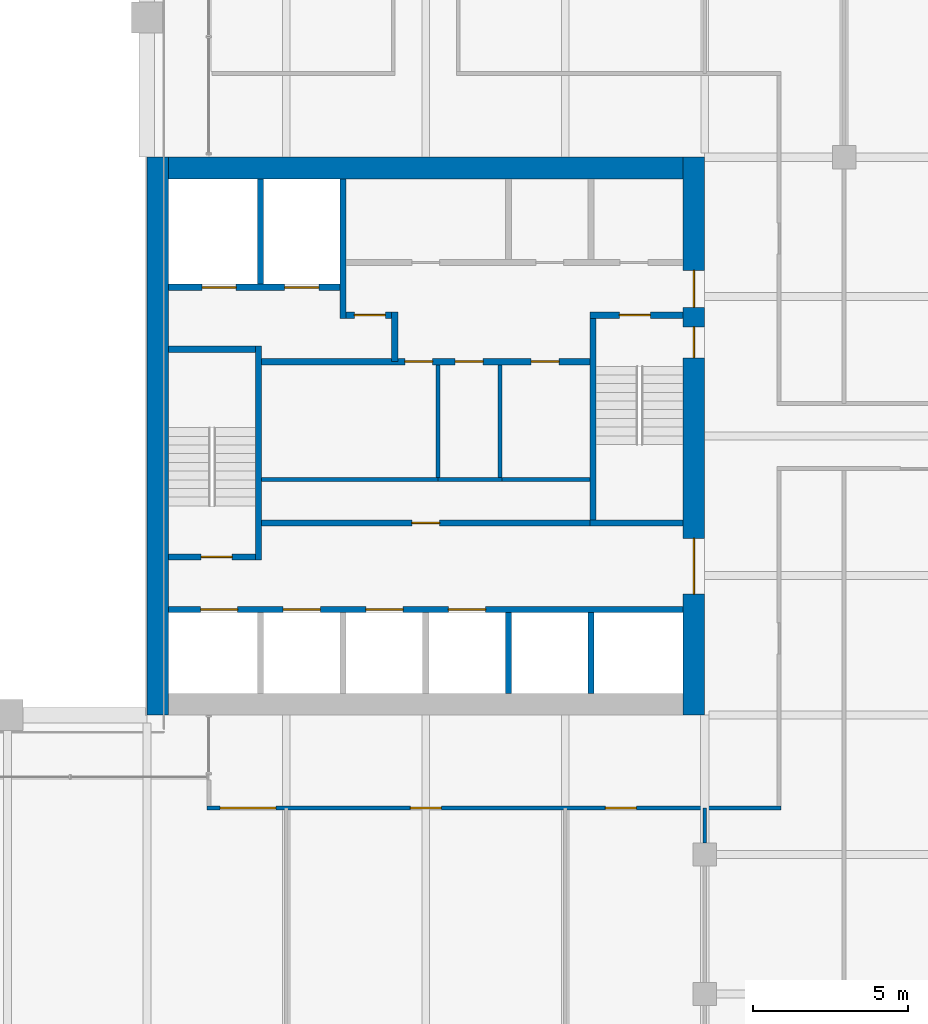
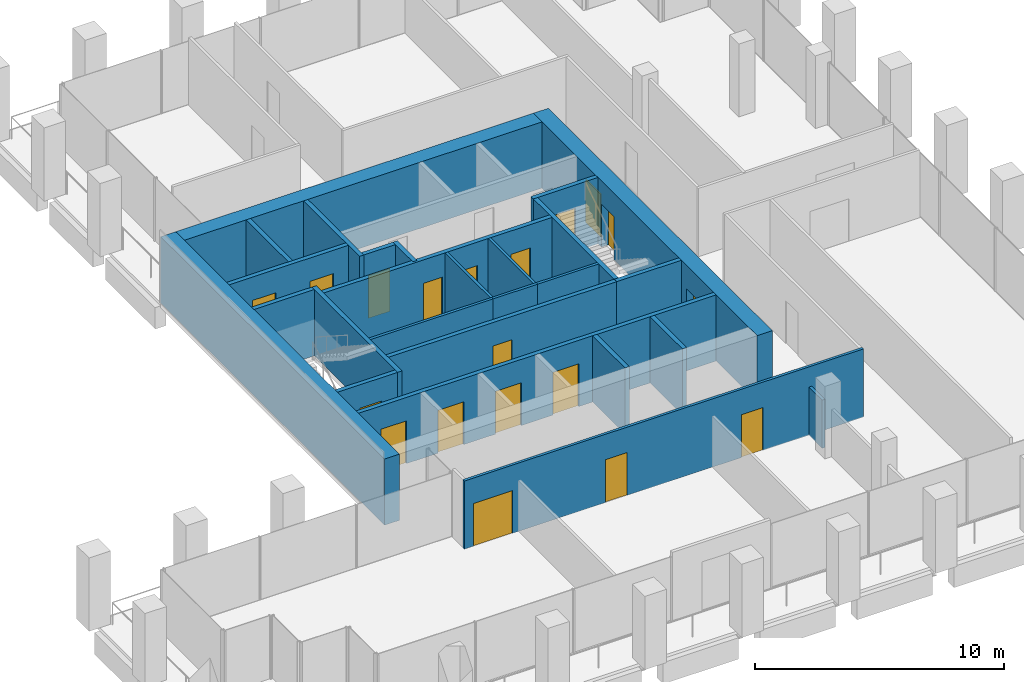
# One storey, part 41 of 45: 26 walls, 19 doors, 19 openings.
"""IFC4 building model written with IfcOpenShell, lengths in metres."""

from ifc_helpers import new_model, si_unit, direction, frame, frame_2d, origin, place, context, subcontext, project, spatial, rectangle, extrude, material, layer, layer_set, type_object, element, fill, save


model = new_model("IFC4")

# Units and contexts
model_context = context("Model", 3, precision=1e-05, world=origin(), true_north=direction((0.0, 1.0)))
body_context = subcontext(model_context, "Body", "Model", "MODEL_VIEW")
ifc_project = project(units=[si_unit("LENGTHUNIT", "METRE"), si_unit("AREAUNIT", "SQUARE_METRE"), si_unit("VOLUMEUNIT", "CUBIC_METRE"), si_unit("PLANEANGLEUNIT", "RADIAN"), si_unit("MASSUNIT", "GRAM", prefix="KILO")], contexts=[model_context])

# Site, building, storey
site_placement = place(None, origin())
site = spatial("IfcSite", under=ifc_project, at=site_placement, CompositionType="ELEMENT")
building_placement = place(site_placement, origin())
building = spatial("IfcBuilding", under=site, at=building_placement, Name="Altepetl Exchange Towers", CompositionType="ELEMENT")
storey_placement = place(building_placement, frame((0.0, 0.0, 110.0)))
storey = spatial("IfcBuildingStorey", under=building, at=storey_placement, Name="L27", CompositionType="ELEMENT", Elevation=110.0)

# Wall, openings, doors
ifc_material_1 = material(Name="Concrete C70/85", Category="concrete")
ifc_layer_1 = layer(ifc_material_1, 0.699951171875)
ifc_layer_set_1 = layer_set([ifc_layer_1], Name="Concrete C70/85")
wall_type_1 = type_object("IfcWallType", Name="Core wall 700 reinforced concrete", PredefinedType="SHEAR", material=ifc_layer_set_1)
wall_1_placement = place(storey_placement, frame((58.14990234375, 40.5, 0.0), z_axis=(0.0, 0.0, 1.0), x_axis=(0.0, 1.0, 0.0)))
wall_1 = element("IfcWall", 1, at=wall_1_placement, inside=storey, type_object=wall_type_1, Name="wall:A:L27:K-coreE", PredefinedType="SHEAR", context=body_context, shape_type="SweptSolid", body=[
    extrude(rectangle(XDim=18.0, YDim=0.699951171875, at=frame_2d((9.0, 0.0))), origin(), (0.0, 0.0, 1.0), 3.25),
])
opening_1_placement = place(wall_1_placement, frame((13.14990234375, 0.0, 0.0)))
opening_1 = element("IfcOpeningElement", 2, at=opening_1_placement, cuts=wall_1, Name="Opening L27.A60", PredefinedType="OPENING", context=body_context, shape_type="SweptSolid", body=[
    extrude(rectangle(XDim=1.199951171875, YDim=2.10009765625, at=frame_2d((0.60009765625, 1.050048828125))), frame((0.0, 0.35986328125, 0.0), z_axis=(0.0, -1.0, 0.0), x_axis=(1.0, 0.0, 0.0)), (0.0, 0.0, 1.0), 0.719970703125),
])
opening_2_placement = place(wall_1_placement, frame((3.89990234375, 0.0, 0.0)))
opening_2 = element("IfcOpeningElement", 3, at=opening_2_placement, cuts=wall_1, Name="Opening L27.A61", PredefinedType="OPENING", context=body_context, shape_type="SweptSolid", body=[
    extrude(rectangle(XDim=1.800048828125, YDim=2.10009765625, at=frame_2d((0.89990234375, 1.050048828125))), frame((0.0, 0.35986328125, 0.0), z_axis=(0.0, -1.0, 0.0), x_axis=(1.0, 0.0, 0.0)), (0.0, 0.0, 1.0), 0.719970703125),
])
opening_3_placement = place(wall_1_placement, frame((11.52490234375, 0.0, 0.0)))
opening_3 = element("IfcOpeningElement", 4, at=opening_3_placement, cuts=wall_1, Name="Opening L27.A64", PredefinedType="OPENING", context=body_context, shape_type="SweptSolid", body=[
    extrude(rectangle(XDim=1.0, YDim=2.10009765625, at=frame_2d((0.5, 1.050048828125))), frame((0.0, 0.35986328125, 0.0), z_axis=(0.0, -1.0, 0.0), x_axis=(1.0, 0.0, 0.0)), (0.0, 0.0, 1.0), 0.719970703125),
])
ifc_material_2 = material(Name="Steel and timber fire door", Category="steel")
door_type_1 = type_object("IfcDoorType", Name="Fire door 1000 x 2100 stair and lobby", OperationType="SINGLE_SWING_LEFT", PredefinedType="DOOR", material=ifc_material_2)
door_1_placement = place(opening_3_placement, origin())
door_1 = element("IfcDoor", 5, at=door_1_placement, inside=storey, type_object=door_type_1, Name="door:A:L27:K-dS2x", OperationType="SINGLE_SWING_RIGHT", OverallHeight=2.10009765625, OverallWidth=1.0, PredefinedType="DOOR", context=body_context, shape_type="SweptSolid", body=[
    extrude(rectangle(XDim=1.0, YDim=2.10009765625, at=frame_2d((0.5, 1.050048828125))), frame((0.0, 0.02490234375, 0.0), z_axis=(0.0, -1.0, 0.0), x_axis=(1.0, 0.0, 0.0)), (0.0, 0.0, 1.0), 0.050048828125),
])
fill(opening_3, door_1)
door_type_2 = type_object("IfcDoorType", Name="Fire door 1200 x 2100 lobby entry", OperationType="SINGLE_SWING_LEFT", PredefinedType="DOOR", material=ifc_material_2)
door_2_placement = place(opening_1_placement, origin())
door_2 = element("IfcDoor", 6, at=door_2_placement, inside=storey, type_object=door_type_2, Name="door:A:L27:K-dLNE", OperationType="SINGLE_SWING_RIGHT", OverallHeight=2.10009765625, OverallWidth=1.199951171875, PredefinedType="DOOR", context=body_context, shape_type="SweptSolid", body=[
    extrude(rectangle(XDim=1.199951171875, YDim=2.10009765625, at=frame_2d((0.60009765625, 1.050048828125))), frame((0.0, 0.02490234375, 0.0), z_axis=(0.0, -1.0, 0.0), x_axis=(1.0, 0.0, 0.0)), (0.0, 0.0, 1.0), 0.050048828125),
])
fill(opening_1, door_2)
door_type_3 = type_object("IfcDoorType", Name="Fire door 1800 x 2100 lobby entry", OperationType="DOUBLE_DOOR_SINGLE_SWING", PredefinedType="DOOR", material=ifc_material_2)
door_3_placement = place(opening_2_placement, origin())
door_3 = element("IfcDoor", 7, at=door_3_placement, inside=storey, type_object=door_type_3, Name="door:A:L27:K-dLSE", OperationType="DOUBLE_DOOR_SINGLE_SWING", OverallHeight=2.10009765625, OverallWidth=1.800048828125, PredefinedType="DOOR", context=body_context, shape_type="SweptSolid", body=[
    extrude(rectangle(XDim=1.800048828125, YDim=2.10009765625, at=frame_2d((0.89990234375, 1.050048828125))), frame((0.0, 0.02490234375, 0.0), z_axis=(0.0, -1.0, 0.0), x_axis=(1.0, 0.0, 0.0)), (0.0, 0.0, 1.0), 0.050048828125),
])
fill(opening_2, door_3)

# Walls
wall_2_placement = place(storey_placement, frame((41.199951171875, 58.14990234375, 0.0)))
element("IfcWall", 8, at=wall_2_placement, inside=storey, type_object=wall_type_1, Name="wall:A:L27:K-coreN", PredefinedType="SHEAR", context=body_context, shape_type="SweptSolid", body=[
    extrude(rectangle(XDim=16.60009765625, YDim=0.699951171875, at=frame_2d((8.300048828125, 0.0))), origin(), (0.0, 0.0, 1.0), 3.25),
])
ifc_layer_2 = layer(ifc_material_1, 0.699951171875)
ifc_layer_set_2 = layer_set([ifc_layer_2], Name="Concrete C70/85")
wall_type_2 = type_object("IfcWallType", Name="Core wall 700 reinforced concrete external", PredefinedType="SHEAR", material=ifc_layer_set_2)
wall_3_placement = place(storey_placement, frame((40.85009765625, 40.5, 0.0), z_axis=(0.0, 0.0, 1.0), x_axis=(0.0, 1.0, 0.0)))
element("IfcWall", 9, at=wall_3_placement, inside=storey, type_object=wall_type_2, Name="wall:A:L27:K-coreW", PredefinedType="SHEAR", context=body_context, shape_type="SweptSolid", body=[
    extrude(rectangle(XDim=18.0, YDim=0.699951171875, at=frame_2d((9.0, 0.0))), origin(), (0.0, 0.0, 1.0), 3.25),
])
ifc_material_3 = material(Name="Concrete blockwork", Category="masonry")
ifc_layer_3 = layer(ifc_material_3, 0.199951171875)
ifc_layer_set_3 = layer_set([ifc_layer_3], Name="Concrete blockwork")
wall_type_3 = type_object("IfcWallType", Name="Lobby wall 200 blockwork", PredefinedType="PARTITIONING", material=ifc_layer_set_3)
wall_4_placement = place(storey_placement, frame((48.5, 51.89990234375, 0.0), z_axis=(0.0, 0.0, 1.0), x_axis=(0.0, 1.0, 0.0)))
element("IfcWall", 10, at=wall_4_placement, inside=storey, type_object=wall_type_3, Name="wall:A:L27:K-ffE", PredefinedType="PARTITIONING", context=body_context, shape_type="SweptSolid", body=[
    extrude(rectangle(XDim=1.60009765625, YDim=0.199951171875, at=frame_2d((0.800048828125, 0.0))), origin(), (0.0, 0.0, 1.0), 3.25),
])

# Wall, opening, door
wall_5_placement = place(storey_placement, frame((46.933349609375, 53.39990234375, 0.0)))
wall_5 = element("IfcWall", 11, at=wall_5_placement, inside=storey, type_object=wall_type_3, Name="wall:A:L27:K-ffN", PredefinedType="PARTITIONING", context=body_context, shape_type="SweptSolid", body=[
    extrude(rectangle(XDim=1.466552734375, YDim=0.199951171875, at=frame_2d((0.7333984375, 0.0))), origin(), (0.0, 0.0, 1.0), 3.25),
])
opening_4_placement = place(wall_5_placement, frame((0.2666015625, 0.0, 0.0)))
opening_4 = element("IfcOpeningElement", 12, at=opening_4_placement, cuts=wall_5, Name="Opening L27.A65", PredefinedType="OPENING", context=body_context, shape_type="SweptSolid", body=[
    extrude(rectangle(XDim=1.0, YDim=2.10009765625, at=frame_2d((0.5, 1.050048828125))), frame((0.0, 0.10986328125, 0.0), z_axis=(0.0, -1.0, 0.0), x_axis=(1.0, 0.0, 0.0)), (0.0, 0.0, 1.0), 0.219970703125),
])
door_4_placement = place(opening_4_placement, frame((1.0, 0.0, 0.0), x_axis=(-1.0, 0.0, 0.0)))
door_4 = element("IfcDoor", 13, at=door_4_placement, inside=storey, type_object=door_type_1, Name="door:A:L27:K-dffN", OperationType="SINGLE_SWING_RIGHT", OverallHeight=2.10009765625, OverallWidth=1.0, PredefinedType="DOOR", context=body_context, shape_type="SweptSolid", body=[
    extrude(rectangle(XDim=1.0, YDim=2.10009765625, at=frame_2d((0.5, 1.050048828125))), frame((0.0, 0.02490234375, 0.0), z_axis=(0.0, -1.0, 0.0), x_axis=(1.0, 0.0, 0.0)), (0.0, 0.0, 1.0), 0.050048828125),
])
fill(opening_4, door_4)

# Wall, openings, doors
wall_6_placement = place(storey_placement, frame((44.199951171875, 51.89990234375, 0.0)))
wall_6 = element("IfcWall", 14, at=wall_6_placement, inside=storey, type_object=wall_type_3, Name="wall:A:L27:K-zoneN", PredefinedType="PARTITIONING", context=body_context, shape_type="SweptSolid", body=[
    extrude(rectangle(XDim=10.60009765625, YDim=0.199951171875, at=frame_2d((5.300048828125, 0.0))), origin(), (0.0, 0.0, 1.0), 3.25),
])
opening_5_placement = place(wall_6_placement, frame((4.625, 0.0, 0.0)))
opening_5 = element("IfcOpeningElement", 15, at=opening_5_placement, cuts=wall_6, Name="Opening L27.A70", PredefinedType="OPENING", context=body_context, shape_type="SweptSolid", body=[
    extrude(rectangle(XDim=0.89990234375, YDim=2.10009765625, at=frame_2d((0.449951171875, 1.050048828125))), frame((0.0, 0.10986328125, 0.0), z_axis=(0.0, -1.0, 0.0), x_axis=(1.0, 0.0, 0.0)), (0.0, 0.0, 1.0), 0.219970703125),
])
opening_6_placement = place(wall_6_placement, frame((6.25, 0.0, 0.0)))
opening_6 = element("IfcOpeningElement", 16, at=opening_6_placement, cuts=wall_6, Name="Opening L27.A71", PredefinedType="OPENING", context=body_context, shape_type="SweptSolid", body=[
    extrude(rectangle(XDim=0.89990234375, YDim=2.10009765625, at=frame_2d((0.449951171875, 1.050048828125))), frame((0.0, 0.10986328125, 0.0), z_axis=(0.0, -1.0, 0.0), x_axis=(1.0, 0.0, 0.0)), (0.0, 0.0, 1.0), 0.219970703125),
])
opening_7_placement = place(wall_6_placement, frame((8.699951171875, 0.0, 0.0)))
opening_7 = element("IfcOpeningElement", 17, at=opening_7_placement, cuts=wall_6, Name="Opening L27.A72", PredefinedType="OPENING", context=body_context, shape_type="SweptSolid", body=[
    extrude(rectangle(XDim=0.89990234375, YDim=2.10009765625, at=frame_2d((0.449951171875, 1.050048828125))), frame((0.0, 0.10986328125, 0.0), z_axis=(0.0, -1.0, 0.0), x_axis=(1.0, 0.0, 0.0)), (0.0, 0.0, 1.0), 0.219970703125),
])
door_type_4 = type_object("IfcDoorType", Name="Fire door 900 x 2100 service room", OperationType="SINGLE_SWING_LEFT", PredefinedType="DOOR", material=ifc_material_2)
door_5_placement = place(opening_5_placement, frame((0.89990234375, 0.0, 0.0), x_axis=(-1.0, 0.0, 0.0)))
door_5 = element("IfcDoor", 18, at=door_5_placement, inside=storey, type_object=door_type_4, Name="door:A:L27:K-dz2", OperationType="SINGLE_SWING_RIGHT", OverallHeight=2.10009765625, OverallWidth=0.89990234375, PredefinedType="DOOR", context=body_context, shape_type="SweptSolid", body=[
    extrude(rectangle(XDim=0.89990234375, YDim=2.10009765625, at=frame_2d((0.449951171875, 1.050048828125))), frame((0.0, 0.02490234375, 0.0), z_axis=(0.0, -1.0, 0.0), x_axis=(1.0, 0.0, 0.0)), (0.0, 0.0, 1.0), 0.050048828125),
])
fill(opening_5, door_5)
door_6_placement = place(opening_6_placement, frame((0.89990234375, 0.0, 0.0), x_axis=(-1.0, 0.0, 0.0)))
door_6 = element("IfcDoor", 19, at=door_6_placement, inside=storey, type_object=door_type_4, Name="door:A:L27:K-dz3", OperationType="SINGLE_SWING_LEFT", OverallHeight=2.10009765625, OverallWidth=0.89990234375, PredefinedType="DOOR", context=body_context, shape_type="SweptSolid", body=[
    extrude(rectangle(XDim=0.89990234375, YDim=2.10009765625, at=frame_2d((0.449951171875, 1.050048828125))), frame((0.0, 0.02490234375, 0.0), z_axis=(0.0, -1.0, 0.0), x_axis=(1.0, 0.0, 0.0)), (0.0, 0.0, 1.0), 0.050048828125),
])
fill(opening_6, door_6)
door_7_placement = place(opening_7_placement, frame((0.89990234375, 0.0, 0.0), x_axis=(-1.0, 0.0, 0.0)))
door_7 = element("IfcDoor", 20, at=door_7_placement, inside=storey, type_object=door_type_4, Name="door:A:L27:K-dz4", OperationType="SINGLE_SWING_LEFT", OverallHeight=2.10009765625, OverallWidth=0.89990234375, PredefinedType="DOOR", context=body_context, shape_type="SweptSolid", body=[
    extrude(rectangle(XDim=0.89990234375, YDim=2.10009765625, at=frame_2d((0.449951171875, 1.050048828125))), frame((0.0, 0.02490234375, 0.0), z_axis=(0.0, -1.0, 0.0), x_axis=(1.0, 0.0, 0.0)), (0.0, 0.0, 1.0), 0.050048828125),
])
fill(opening_7, door_7)

# Wall, opening, door
wall_7_placement = place(storey_placement, frame((44.199951171875, 46.699951171875, 0.0)))
wall_7 = element("IfcWall", 21, at=wall_7_placement, inside=storey, type_object=wall_type_3, Name="wall:A:L27:K-zoneS", PredefinedType="PARTITIONING", context=body_context, shape_type="SweptSolid", body=[
    extrude(rectangle(XDim=10.60009765625, YDim=0.199951171875, at=frame_2d((5.300048828125, 0.0))), origin(), (0.0, 0.0, 1.0), 3.25),
])
opening_8_placement = place(wall_7_placement, frame((4.85009765625, 0.0, 0.0)))
opening_8 = element("IfcOpeningElement", 22, at=opening_8_placement, cuts=wall_7, Name="Opening L27.A69", PredefinedType="OPENING", context=body_context, shape_type="SweptSolid", body=[
    extrude(rectangle(XDim=0.89990234375, YDim=2.10009765625, at=frame_2d((0.449951171875, 1.050048828125))), frame((0.0, 0.10986328125, 0.0), z_axis=(0.0, -1.0, 0.0), x_axis=(1.0, 0.0, 0.0)), (0.0, 0.0, 1.0), 0.219970703125),
])
door_8_placement = place(opening_8_placement, origin())
door_8 = element("IfcDoor", 23, at=door_8_placement, inside=storey, type_object=door_type_4, Name="door:A:L27:K-dz1", OperationType="SINGLE_SWING_LEFT", OverallHeight=2.10009765625, OverallWidth=0.89990234375, PredefinedType="DOOR", context=body_context, shape_type="SweptSolid", body=[
    extrude(rectangle(XDim=0.89990234375, YDim=2.10009765625, at=frame_2d((0.449951171875, 1.050048828125))), frame((0.0, 0.02490234375, 0.0), z_axis=(0.0, -1.0, 0.0), x_axis=(1.0, 0.0, 0.0)), (0.0, 0.0, 1.0), 0.050048828125),
])
fill(opening_8, door_8)

# Walls
ifc_material_4 = material(Name="Gypsum board on steel studs", Category="steel")
ifc_layer_4 = layer(ifc_material_4, 0.125)
ifc_layer_set_4 = layer_set([ifc_layer_4], Name="Gypsum board on steel studs")
wall_type_4 = type_object("IfcWallType", Name="Partition 125 gypsum board on steel studs", PredefinedType="PARTITIONING", material=ifc_layer_set_4)
wall_8_placement = place(storey_placement, frame((49.96240234375, 48.10009765625, 0.0), z_axis=(0.0, 0.0, 1.0), x_axis=(-1.0, 0.0, 0.0)))
element("IfcWall", 24, at=wall_8_placement, inside=storey, type_object=wall_type_4, Name="wall:A:L27:K-zp1", PredefinedType="PARTITIONING", context=body_context, shape_type="SweptSolid", body=[
    extrude(rectangle(XDim=5.762451171875, YDim=0.125, at=frame_2d((2.88134765625, 0.0))), origin(), (0.0, 0.0, 1.0), 3.25),
])
wall_9_placement = place(storey_placement, frame((51.96240234375, 48.10009765625, 0.0), z_axis=(0.0, 0.0, 1.0), x_axis=(-1.0, 0.0, 0.0)))
element("IfcWall", 25, at=wall_9_placement, inside=storey, type_object=wall_type_4, Name="wall:A:L27:K-zp2", PredefinedType="PARTITIONING", context=body_context, shape_type="SweptSolid", body=[
    extrude(rectangle(XDim=2.0625, YDim=0.125, at=frame_2d((1.03125, 0.0))), origin(), (0.0, 0.0, 1.0), 3.25),
])
wall_10_placement = place(storey_placement, frame((49.89990234375, 48.16259765625, 0.0), z_axis=(0.0, 0.0, 1.0), x_axis=(0.0, 1.0, 0.0)))
element("IfcWall", 26, at=wall_10_placement, inside=storey, type_object=wall_type_4, Name="wall:A:L27:K-zp3", PredefinedType="PARTITIONING", context=body_context, shape_type="SweptSolid", body=[
    extrude(rectangle(XDim=3.637451171875, YDim=0.125, at=frame_2d((1.81884765625, 0.0))), origin(), (0.0, 0.0, 1.0), 3.25),
])
wall_11_placement = place(storey_placement, frame((54.800048828125, 48.10009765625, 0.0), z_axis=(0.0, 0.0, 1.0), x_axis=(-1.0, 0.0, 0.0)))
element("IfcWall", 27, at=wall_11_placement, inside=storey, type_object=wall_type_4, Name="wall:A:L27:K-zp4", PredefinedType="PARTITIONING", context=body_context, shape_type="SweptSolid", body=[
    extrude(rectangle(XDim=2.900146484375, YDim=0.125, at=frame_2d((1.4501953125, 0.0))), origin(), (0.0, 0.0, 1.0), 3.25),
])
wall_12_placement = place(storey_placement, frame((51.89990234375, 48.16259765625, 0.0), z_axis=(0.0, 0.0, 1.0), x_axis=(0.0, 1.0, 0.0)))
element("IfcWall", 28, at=wall_12_placement, inside=storey, type_object=wall_type_4, Name="wall:A:L27:K-zp5", PredefinedType="PARTITIONING", context=body_context, shape_type="SweptSolid", body=[
    extrude(rectangle(XDim=3.637451171875, YDim=0.125, at=frame_2d((1.81884765625, 0.0))), origin(), (0.0, 0.0, 1.0), 3.25),
])

# Wall, openings, doors
wall_13_placement = place(storey_placement, frame((42.4375, 37.5, 0.0)))
wall_13 = element("IfcWall", 29, at=wall_13_placement, inside=storey, type_object=wall_type_4, Name="wall:A:L27:P01", PredefinedType="PARTITIONING", context=body_context, shape_type="SweptSolid", body=[
    extrude(rectangle(XDim=18.52490234375, YDim=0.125, at=frame_2d((9.262451171875, 0.0))), origin(), (0.0, 0.0, 1.0), 3.35009765625),
])
opening_9_placement = place(wall_13_placement, frame((6.5625, 0.0, 0.0)))
opening_9 = element("IfcOpeningElement", 30, at=opening_9_placement, cuts=wall_13, Name="Opening L27.A01", PredefinedType="OPENING", context=body_context, shape_type="SweptSolid", body=[
    extrude(rectangle(XDim=1.0, YDim=2.10009765625, at=frame_2d((0.5, 1.050048828125))), frame((0.0, 0.072509765625, 0.0), z_axis=(0.0, -1.0, 0.0), x_axis=(1.0, 0.0, 0.0)), (0.0, 0.0, 1.0), 0.14501953125),
])
opening_10_placement = place(wall_13_placement, frame((12.857421875, 0.0, 0.0)))
opening_10 = element("IfcOpeningElement", 31, at=opening_10_placement, cuts=wall_13, Name="Opening L27.A02", PredefinedType="OPENING", context=body_context, shape_type="SweptSolid", body=[
    extrude(rectangle(XDim=1.0, YDim=2.10009765625, at=frame_2d((0.5, 1.050048828125))), frame((0.0, 0.072509765625, 0.0), z_axis=(0.0, -1.0, 0.0), x_axis=(1.0, 0.0, 0.0)), (0.0, 0.0, 1.0), 0.14501953125),
])
opening_11_placement = place(wall_13_placement, frame((0.429443359375, 0.0, 0.0)))
opening_11 = element("IfcOpeningElement", 32, at=opening_11_placement, cuts=wall_13, Name="Opening L27.A03", PredefinedType="OPENING", context=body_context, shape_type="SweptSolid", body=[
    extrude(rectangle(XDim=1.800048828125, YDim=2.10009765625, at=frame_2d((0.89990234375, 1.050048828125))), frame((0.0, 0.072509765625, 0.0), z_axis=(0.0, -1.0, 0.0), x_axis=(1.0, 0.0, 0.0)), (0.0, 0.0, 1.0), 0.14501953125),
])
door_type_5 = type_object("IfcDoorType", Name="Fire door 1000 x 2100 single leaf", OperationType="SINGLE_SWING_LEFT", PredefinedType="DOOR", material=ifc_material_2)
door_9_placement = place(opening_9_placement, frame((1.0, 0.0, 0.0), x_axis=(-1.0, 0.0, 0.0)))
door_9 = element("IfcDoor", 33, at=door_9_placement, inside=storey, type_object=door_type_5, Name="door:A:L27:01", OperationType="SINGLE_SWING_LEFT", OverallHeight=2.10009765625, OverallWidth=1.0, PredefinedType="DOOR", context=body_context, shape_type="SweptSolid", body=[
    extrude(rectangle(XDim=1.0, YDim=2.10009765625, at=frame_2d((0.5, 1.050048828125))), frame((0.0, 0.02490234375, 0.0), z_axis=(0.0, -1.0, 0.0), x_axis=(1.0, 0.0, 0.0)), (0.0, 0.0, 1.0), 0.050048828125),
])
fill(opening_9, door_9)
door_10_placement = place(opening_10_placement, frame((1.0, 0.0, 0.0), x_axis=(-1.0, 0.0, 0.0)))
door_10 = element("IfcDoor", 34, at=door_10_placement, inside=storey, type_object=door_type_5, Name="door:A:L27:02", OperationType="SINGLE_SWING_RIGHT", OverallHeight=2.10009765625, OverallWidth=1.0, PredefinedType="DOOR", context=body_context, shape_type="SweptSolid", body=[
    extrude(rectangle(XDim=1.0, YDim=2.10009765625, at=frame_2d((0.5, 1.050048828125))), frame((0.0, 0.02490234375, 0.0), z_axis=(0.0, -1.0, 0.0), x_axis=(1.0, 0.0, 0.0)), (0.0, 0.0, 1.0), 0.050048828125),
])
fill(opening_10, door_10)
door_type_6 = type_object("IfcDoorType", Name="Fire door 1800 x 2100 double leaf", OperationType="DOUBLE_DOOR_SINGLE_SWING", PredefinedType="DOOR", material=ifc_material_2)
door_11_placement = place(opening_11_placement, frame((1.800048828125, 0.0, 0.0), x_axis=(-1.0, 0.0, 0.0)))
door_11 = element("IfcDoor", 35, at=door_11_placement, inside=storey, type_object=door_type_6, Name="door:A:L27:03", OperationType="DOUBLE_DOOR_SINGLE_SWING", OverallHeight=2.10009765625, OverallWidth=1.800048828125, PredefinedType="DOOR", context=body_context, shape_type="SweptSolid", body=[
    extrude(rectangle(XDim=1.800048828125, YDim=2.10009765625, at=frame_2d((0.89990234375, 1.050048828125))), frame((0.0, 0.02490234375, 0.0), z_axis=(0.0, -1.0, 0.0), x_axis=(1.0, 0.0, 0.0)), (0.0, 0.0, 1.0), 0.050048828125),
])
fill(opening_11, door_11)

# Walls
wall_14_placement = place(storey_placement, frame((58.5, 36.375, 0.0), z_axis=(0.0, 0.0, 1.0), x_axis=(0.0, 1.0, 0.0)))
element("IfcWall", 36, at=wall_14_placement, inside=storey, type_object=wall_type_4, Name="wall:A:L27:P13", PredefinedType="PARTITIONING", context=body_context, shape_type="SweptSolid", body=[
    extrude(rectangle(XDim=1.125, YDim=0.125, at=frame_2d((0.5625, 0.0))), origin(), (0.0, 0.0, 1.0), 2.360107421875),
])
ifc_material_5 = material(Name="Concrete C40/50", Category="concrete")
ifc_layer_5 = layer(ifc_material_5, 0.199951171875)
ifc_layer_set_5 = layer_set([ifc_layer_5], Name="Concrete C40/50")
wall_type_5 = type_object("IfcWallType", Name="Shaft wall 200 reinforced concrete", PredefinedType="SHEAR", material=ifc_layer_set_5)
wall_15_placement = place(storey_placement, frame((44.166748046875, 57.800048828125, 0.0), z_axis=(0.0, 0.0, 1.0), x_axis=(0.0, -1.0, 0.0)))
element("IfcWall", 37, at=wall_15_placement, inside=storey, type_object=wall_type_5, Name="wall:A:L27:K-divN1", PredefinedType="SHEAR", context=body_context, shape_type="SweptSolid", body=[
    extrude(rectangle(XDim=3.400146484375, YDim=0.199951171875, at=frame_2d((1.7001953125, 0.0))), origin(), (0.0, 0.0, 1.0), 3.25),
])
wall_16_placement = place(storey_placement, frame((46.833251953125, 57.800048828125, 0.0), z_axis=(0.0, 0.0, 1.0), x_axis=(0.0, -1.0, 0.0)))
element("IfcWall", 38, at=wall_16_placement, inside=storey, type_object=wall_type_5, Name="wall:A:L27:K-divN2", PredefinedType="SHEAR", context=body_context, shape_type="SweptSolid", body=[
    extrude(rectangle(XDim=4.5, YDim=0.199951171875, at=frame_2d((2.25, 0.0))), origin(), (0.0, 0.0, 1.0), 3.25),
])
for number, where, z_axis, x_axis, name in (
    (39, (52.166748046875, 41.199951171875, 0.0), (0.0, 0.0, 1.0), (0.0, 1.0, 0.0), "wall:A:L27:K-divS4"),
    (40, (54.833251953125, 41.199951171875, 0.0), (0.0, 0.0, 1.0), (0.0, 1.0, 0.0), "wall:A:L27:K-divS5"),
):
    element("IfcWall", number, at=place(storey_placement, frame(where, z_axis=z_axis, x_axis=x_axis)), inside=storey, type_object=wall_type_5, Name=name, PredefinedType="SHEAR", context=body_context, shape_type="SweptSolid", body=[
        extrude(rectangle(XDim=2.60009765625, YDim=0.199951171875, at=frame_2d((1.300048828125, 0.0))), origin(), (0.0, 0.0, 1.0), 3.25),
    ])

# Wall, openings, doors
wall_17_placement = place(storey_placement, frame((41.199951171875, 54.300048828125, 0.0)))
wall_17 = element("IfcWall", 41, at=wall_17_placement, inside=storey, type_object=wall_type_5, Name="wall:A:L27:K-frontNd", PredefinedType="SHEAR", context=body_context, shape_type="SweptSolid", body=[
    extrude(rectangle(XDim=5.533447265625, YDim=0.199951171875, at=frame_2d((2.7666015625, 0.0))), origin(), (0.0, 0.0, 1.0), 3.25),
])
opening_12_placement = place(wall_17_placement, frame((1.083251953125, 0.0, 0.0)))
opening_12 = element("IfcOpeningElement", 42, at=opening_12_placement, cuts=wall_17, Name="Opening L27.A73", PredefinedType="OPENING", context=body_context, shape_type="SweptSolid", body=[
    extrude(rectangle(XDim=1.10009765625, YDim=2.10009765625, at=frame_2d((0.550048828125, 1.050048828125))), frame((0.0, 0.10986328125, 0.0), z_axis=(0.0, -1.0, 0.0), x_axis=(1.0, 0.0, 0.0)), (0.0, 0.0, 1.0), 0.219970703125),
])
opening_13_placement = place(wall_17_placement, frame((3.75, 0.0, 0.0)))
opening_13 = element("IfcOpeningElement", 43, at=opening_13_placement, cuts=wall_17, Name="Opening L27.A74", PredefinedType="OPENING", context=body_context, shape_type="SweptSolid", body=[
    extrude(rectangle(XDim=1.10009765625, YDim=2.10009765625, at=frame_2d((0.550048828125, 1.050048828125))), frame((0.0, 0.10986328125, 0.0), z_axis=(0.0, -1.0, 0.0), x_axis=(1.0, 0.0, 0.0)), (0.0, 0.0, 1.0), 0.219970703125),
])
ifc_material_6 = material(Name="Stainless steel", Category="steel")
door_type_7 = type_object("IfcDoorType", Name="Lift landing door 1100 x 2100", OperationType="SLIDING_TO_LEFT", PredefinedType="DOOR", material=ifc_material_6)
door_12_placement = place(opening_12_placement, origin())
door_12 = element("IfcDoor", 44, at=door_12_placement, inside=storey, type_object=door_type_7, Name="Landing door FFL1", OperationType="SLIDING_TO_LEFT", OverallHeight=2.10009765625, OverallWidth=1.10009765625, PredefinedType="DOOR", context=body_context, shape_type="SweptSolid", body=[
    extrude(rectangle(XDim=1.10009765625, YDim=2.10009765625, at=frame_2d((0.550048828125, 1.050048828125))), frame((0.0, 0.02490234375, 0.0), z_axis=(0.0, -1.0, 0.0), x_axis=(1.0, 0.0, 0.0)), (0.0, 0.0, 1.0), 0.050048828125),
])
fill(opening_12, door_12)
door_13_placement = place(opening_13_placement, origin())
door_13 = element("IfcDoor", 45, at=door_13_placement, inside=storey, type_object=door_type_7, Name="Landing door FFL2", OperationType="SLIDING_TO_LEFT", OverallHeight=2.10009765625, OverallWidth=1.10009765625, PredefinedType="DOOR", context=body_context, shape_type="SweptSolid", body=[
    extrude(rectangle(XDim=1.10009765625, YDim=2.10009765625, at=frame_2d((0.550048828125, 1.050048828125))), frame((0.0, 0.02490234375, 0.0), z_axis=(0.0, -1.0, 0.0), x_axis=(1.0, 0.0, 0.0)), (0.0, 0.0, 1.0), 0.050048828125),
])
fill(opening_13, door_13)

wall_18_placement = place(storey_placement, frame((41.199951171875, 43.89990234375, 0.0)))
wall_18 = element("IfcWall", 46, at=wall_18_placement, inside=storey, type_object=wall_type_5, Name="wall:A:L27:K-frontS", PredefinedType="SHEAR", context=body_context, shape_type="SweptSolid", body=[
    extrude(rectangle(XDim=16.60009765625, YDim=0.199951171875, at=frame_2d((8.300048828125, 0.0))), origin(), (0.0, 0.0, 1.0), 3.25),
])
opening_14_placement = place(wall_18_placement, frame((1.033203125, 0.0, 0.0)))
opening_14 = element("IfcOpeningElement", 47, at=opening_14_placement, cuts=wall_18, Name="Opening L27.A75", PredefinedType="OPENING", context=body_context, shape_type="SweptSolid", body=[
    extrude(rectangle(XDim=1.199951171875, YDim=2.10009765625, at=frame_2d((0.60009765625, 1.050048828125))), frame((0.0, 0.10986328125, 0.0), z_axis=(0.0, -1.0, 0.0), x_axis=(1.0, 0.0, 0.0)), (0.0, 0.0, 1.0), 0.219970703125),
])
opening_15_placement = place(wall_18_placement, frame((3.699951171875, 0.0, 0.0)))
opening_15 = element("IfcOpeningElement", 48, at=opening_15_placement, cuts=wall_18, Name="Opening L27.A76", PredefinedType="OPENING", context=body_context, shape_type="SweptSolid", body=[
    extrude(rectangle(XDim=1.199951171875, YDim=2.10009765625, at=frame_2d((0.60009765625, 1.050048828125))), frame((0.0, 0.10986328125, 0.0), z_axis=(0.0, -1.0, 0.0), x_axis=(1.0, 0.0, 0.0)), (0.0, 0.0, 1.0), 0.219970703125),
])
opening_16_placement = place(wall_18_placement, frame((6.36669921875, 0.0, 0.0)))
opening_16 = element("IfcOpeningElement", 49, at=opening_16_placement, cuts=wall_18, Name="Opening L27.A77", PredefinedType="OPENING", context=body_context, shape_type="SweptSolid", body=[
    extrude(rectangle(XDim=1.199951171875, YDim=2.10009765625, at=frame_2d((0.60009765625, 1.050048828125))), frame((0.0, 0.10986328125, 0.0), z_axis=(0.0, -1.0, 0.0), x_axis=(1.0, 0.0, 0.0)), (0.0, 0.0, 1.0), 0.219970703125),
])
opening_17_placement = place(wall_18_placement, frame((9.033203125, 0.0, 0.0)))
opening_17 = element("IfcOpeningElement", 50, at=opening_17_placement, cuts=wall_18, Name="Opening L27.A78", PredefinedType="OPENING", context=body_context, shape_type="SweptSolid", body=[
    extrude(rectangle(XDim=1.199951171875, YDim=2.10009765625, at=frame_2d((0.60009765625, 1.050048828125))), frame((0.0, 0.10986328125, 0.0), z_axis=(0.0, -1.0, 0.0), x_axis=(1.0, 0.0, 0.0)), (0.0, 0.0, 1.0), 0.219970703125),
])
door_type_8 = type_object("IfcDoorType", Name="Lift landing door 1200 x 2100", OperationType="SLIDING_TO_LEFT", PredefinedType="DOOR", material=ifc_material_6)
door_14_placement = place(opening_14_placement, origin())
door_14 = element("IfcDoor", 51, at=door_14_placement, inside=storey, type_object=door_type_8, Name="Landing door P1", OperationType="SLIDING_TO_LEFT", OverallHeight=2.10009765625, OverallWidth=1.199951171875, PredefinedType="DOOR", context=body_context, shape_type="SweptSolid", body=[
    extrude(rectangle(XDim=1.199951171875, YDim=2.10009765625, at=frame_2d((0.60009765625, 1.050048828125))), frame((0.0, 0.02490234375, 0.0), z_axis=(0.0, -1.0, 0.0), x_axis=(1.0, 0.0, 0.0)), (0.0, 0.0, 1.0), 0.050048828125),
])
fill(opening_14, door_14)
door_15_placement = place(opening_15_placement, origin())
door_15 = element("IfcDoor", 52, at=door_15_placement, inside=storey, type_object=door_type_8, Name="Landing door P2", OperationType="SLIDING_TO_LEFT", OverallHeight=2.10009765625, OverallWidth=1.199951171875, PredefinedType="DOOR", context=body_context, shape_type="SweptSolid", body=[
    extrude(rectangle(XDim=1.199951171875, YDim=2.10009765625, at=frame_2d((0.60009765625, 1.050048828125))), frame((0.0, 0.02490234375, 0.0), z_axis=(0.0, -1.0, 0.0), x_axis=(1.0, 0.0, 0.0)), (0.0, 0.0, 1.0), 0.050048828125),
])
fill(opening_15, door_15)
door_16_placement = place(opening_16_placement, origin())
door_16 = element("IfcDoor", 53, at=door_16_placement, inside=storey, type_object=door_type_8, Name="Landing door P3", OperationType="SLIDING_TO_LEFT", OverallHeight=2.10009765625, OverallWidth=1.199951171875, PredefinedType="DOOR", context=body_context, shape_type="SweptSolid", body=[
    extrude(rectangle(XDim=1.199951171875, YDim=2.10009765625, at=frame_2d((0.60009765625, 1.050048828125))), frame((0.0, 0.02490234375, 0.0), z_axis=(0.0, -1.0, 0.0), x_axis=(1.0, 0.0, 0.0)), (0.0, 0.0, 1.0), 0.050048828125),
])
fill(opening_16, door_16)
door_17_placement = place(opening_17_placement, origin())
door_17 = element("IfcDoor", 54, at=door_17_placement, inside=storey, type_object=door_type_8, Name="Landing door P4", OperationType="SLIDING_TO_LEFT", OverallHeight=2.10009765625, OverallWidth=1.199951171875, PredefinedType="DOOR", context=body_context, shape_type="SweptSolid", body=[
    extrude(rectangle(XDim=1.199951171875, YDim=2.10009765625, at=frame_2d((0.60009765625, 1.050048828125))), frame((0.0, 0.02490234375, 0.0), z_axis=(0.0, -1.0, 0.0), x_axis=(1.0, 0.0, 0.0)), (0.0, 0.0, 1.0), 0.050048828125),
])
fill(opening_17, door_17)

# Walls
ifc_layer_6 = layer(ifc_material_5, 0.199951171875)
ifc_layer_set_6 = layer_set([ifc_layer_6], Name="Concrete C40/50")
wall_type_6 = type_object("IfcWallType", Name="Stair wall 200 reinforced concrete", PredefinedType="SHEAR", material=ifc_layer_set_6)
wall_19_placement = place(storey_placement, frame((44.10009765625, 45.5, 0.0), z_axis=(0.0, 0.0, 1.0), x_axis=(0.0, 1.0, 0.0)))
element("IfcWall", 55, at=wall_19_placement, inside=storey, type_object=wall_type_6, Name="wall:A:L27:K-stS1E", PredefinedType="SHEAR", context=body_context, shape_type="SweptSolid", body=[
    extrude(rectangle(XDim=6.89990234375, YDim=0.199951171875, at=frame_2d((3.449951171875, 0.0))), origin(), (0.0, 0.0, 1.0), 3.25),
])
wall_20_placement = place(storey_placement, frame((41.199951171875, 52.300048828125, 0.0)))
element("IfcWall", 56, at=wall_20_placement, inside=storey, type_object=wall_type_6, Name="wall:A:L27:K-stS1N", PredefinedType="SHEAR", context=body_context, shape_type="SweptSolid", body=[
    extrude(rectangle(XDim=2.800048828125, YDim=0.199951171875, at=frame_2d((1.39990234375, 0.0))), origin(), (0.0, 0.0, 1.0), 3.25),
])

# Wall, opening, door
wall_21_placement = place(storey_placement, frame((41.199951171875, 45.60009765625, 0.0)))
wall_21 = element("IfcWall", 57, at=wall_21_placement, inside=storey, type_object=wall_type_6, Name="wall:A:L27:K-stS1S", PredefinedType="SHEAR", context=body_context, shape_type="SweptSolid", body=[
    extrude(rectangle(XDim=2.800048828125, YDim=0.199951171875, at=frame_2d((1.39990234375, 0.0))), origin(), (0.0, 0.0, 1.0), 3.25),
])
opening_18_placement = place(wall_21_placement, frame((1.050048828125, 0.0, 0.0)))
opening_18 = element("IfcOpeningElement", 58, at=opening_18_placement, cuts=wall_21, Name="Opening L27.A62", PredefinedType="OPENING", context=body_context, shape_type="SweptSolid", body=[
    extrude(rectangle(XDim=1.0, YDim=2.10009765625, at=frame_2d((0.5, 1.050048828125))), frame((0.0, 0.10986328125, 0.0), z_axis=(0.0, -1.0, 0.0), x_axis=(1.0, 0.0, 0.0)), (0.0, 0.0, 1.0), 0.219970703125),
])
door_18_placement = place(opening_18_placement, origin())
door_18 = element("IfcDoor", 59, at=door_18_placement, inside=storey, type_object=door_type_1, Name="door:A:L27:K-dS1in", OperationType="SINGLE_SWING_RIGHT", OverallHeight=2.10009765625, OverallWidth=1.0, PredefinedType="DOOR", context=body_context, shape_type="SweptSolid", body=[
    extrude(rectangle(XDim=1.0, YDim=2.10009765625, at=frame_2d((0.5, 1.050048828125))), frame((0.0, 0.02490234375, 0.0), z_axis=(0.0, -1.0, 0.0), x_axis=(1.0, 0.0, 0.0)), (0.0, 0.0, 1.0), 0.050048828125),
])
fill(opening_18, door_18)

wall_22_placement = place(storey_placement, frame((54.800048828125, 53.39990234375, 0.0)))
wall_22 = element("IfcWall", 60, at=wall_22_placement, inside=storey, type_object=wall_type_6, Name="wall:A:L27:K-stS2N", PredefinedType="SHEAR", context=body_context, shape_type="SweptSolid", body=[
    extrude(rectangle(XDim=3.0, YDim=0.199951171875, at=frame_2d((1.5, 0.0))), origin(), (0.0, 0.0, 1.0), 3.25),
])
opening_19_placement = place(wall_22_placement, frame((0.949951171875, 0.0, 0.0)))
opening_19 = element("IfcOpeningElement", 61, at=opening_19_placement, cuts=wall_22, Name="Opening L27.A63", PredefinedType="OPENING", context=body_context, shape_type="SweptSolid", body=[
    extrude(rectangle(XDim=1.0, YDim=2.10009765625, at=frame_2d((0.5, 1.050048828125))), frame((0.0, 0.10986328125, 0.0), z_axis=(0.0, -1.0, 0.0), x_axis=(1.0, 0.0, 0.0)), (0.0, 0.0, 1.0), 0.219970703125),
])
door_19_placement = place(opening_19_placement, frame((1.0, 0.0, 0.0), x_axis=(-1.0, 0.0, 0.0)))
door_19 = element("IfcDoor", 62, at=door_19_placement, inside=storey, type_object=door_type_1, Name="door:A:L27:K-dS2in", OperationType="SINGLE_SWING_LEFT", OverallHeight=2.10009765625, OverallWidth=1.0, PredefinedType="DOOR", context=body_context, shape_type="SweptSolid", body=[
    extrude(rectangle(XDim=1.0, YDim=2.10009765625, at=frame_2d((0.5, 1.050048828125))), frame((0.0, 0.02490234375, 0.0), z_axis=(0.0, -1.0, 0.0), x_axis=(1.0, 0.0, 0.0)), (0.0, 0.0, 1.0), 0.050048828125),
])
fill(opening_19, door_19)

# Walls
wall_23_placement = place(storey_placement, frame((54.800048828125, 46.699951171875, 0.0)))
element("IfcWall", 63, at=wall_23_placement, inside=storey, type_object=wall_type_6, Name="wall:A:L27:K-stS2S", PredefinedType="SHEAR", context=body_context, shape_type="SweptSolid", body=[
    extrude(rectangle(XDim=3.0, YDim=0.199951171875, at=frame_2d((1.5, 0.0))), origin(), (0.0, 0.0, 1.0), 3.25),
])
wall_24_placement = place(storey_placement, frame((54.89990234375, 46.800048828125, 0.0), z_axis=(0.0, 0.0, 1.0), x_axis=(0.0, 1.0, 0.0)))
element("IfcWall", 64, at=wall_24_placement, inside=storey, type_object=wall_type_6, Name="wall:A:L27:K-stS2W", PredefinedType="SHEAR", context=body_context, shape_type="SweptSolid", body=[
    extrude(rectangle(XDim=6.5, YDim=0.199951171875, at=frame_2d((3.25, 0.0))), origin(), (0.0, 0.0, 1.0), 3.25),
])

save(model, "model.ifc")
